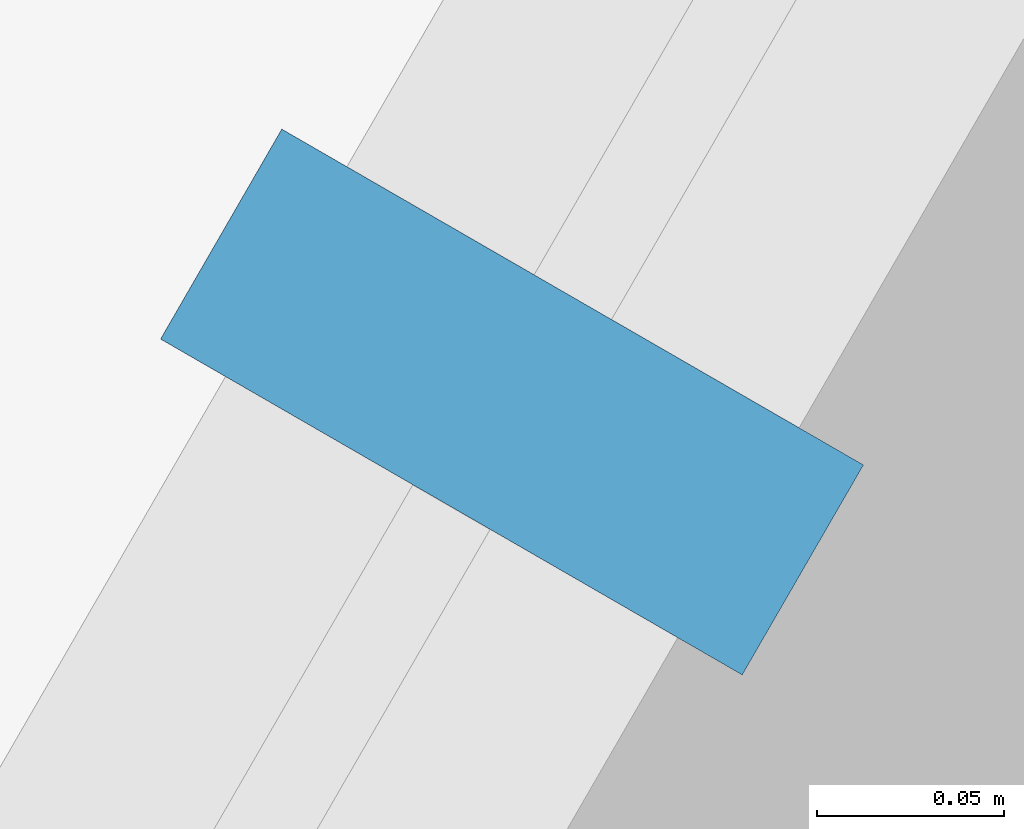
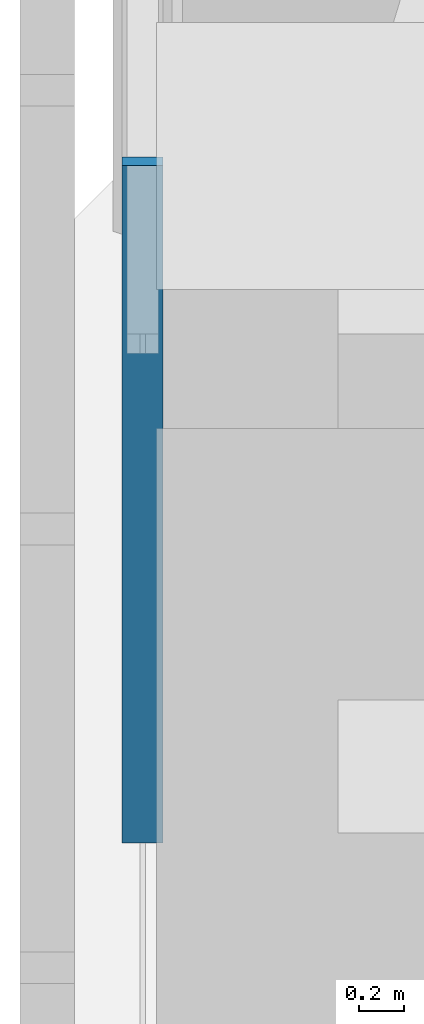
# One storey, part 154 of 256: 1 member, 1 element without a shape of its own.
"""IFC4 building model written with IfcOpenShell, lengths in metres."""

from ifc_helpers import new_model, si_unit, direction, frame, origin, origin_2d, place, context, subcontext, project, spatial, rectangle, extrude, material, material_profile, profile_set, type_object, element, aggregate, save


model = new_model("IFC4")

# Units and contexts
model_context = context("Model", 3, precision=1e-05, world=origin(), true_north=direction((0.0, 1.0)))
body_context = subcontext(model_context, "Body", "Model", "MODEL_VIEW")
ifc_project = project(units=[si_unit("LENGTHUNIT", "METRE"), si_unit("AREAUNIT", "SQUARE_METRE"), si_unit("VOLUMEUNIT", "CUBIC_METRE"), si_unit("PLANEANGLEUNIT", "RADIAN"), si_unit("MASSUNIT", "GRAM", prefix="KILO")], contexts=[model_context])

# Site, building, storey
site_placement = place(None, origin())
site = spatial("IfcSite", under=ifc_project, at=site_placement, CompositionType="ELEMENT")
building_placement = place(site_placement, origin())
building = spatial("IfcBuilding", under=site, at=building_placement, Name="Sandreach Pilgrim Tower", CompositionType="ELEMENT")
storey_placement = place(building_placement, frame((0.0, 0.0, 23.0)))
storey = spatial("IfcBuildingStorey", under=building, at=storey_placement, Name="L04", CompositionType="ELEMENT", Elevation=23.0)

# Curtain wall, member
ifc_material_1 = material(Name="Aluminium framed curtain wall", Category="aluminium")
curtain_wall_type = type_object("IfcCurtainWallType", Name="Hostel tower curtain wall", PredefinedType="NOTDEFINED", material=ifc_material_1)
curtain_wall_placement = place(storey_placement, origin())
curtain_wall = element("IfcCurtainWall", 1, at=curtain_wall_placement, inside=storey, type_object=curtain_wall_type, Name="CW-1 L04 NW", PredefinedType="NOTDEFINED")
ifc_material_2 = material(Name="Aluminium extrusion", Category="aluminium")
ifc_material_profile = material_profile(ifc_material_2, rectangle(XDim=0.06494140625, YDim=0.179931640625, at=origin_2d()), Name="CW-1M 65X180")
ifc_profile_set = profile_set([ifc_material_profile], Name="Aluminium extrusion")
member_type = type_object("IfcMemberType", Name="CW-1 mullion", PredefinedType="MULLION", material=ifc_profile_set)
member_placement = place(storey_placement, frame((-23.697265625, 18.97705078125, 0.0), z_axis=(0.0, 0.0, 1.0), x_axis=(0.5, 0.866025403784, 0.0)))
member = element("IfcMember", 2, at=member_placement, type_object=member_type, Name="CW-1 mullion 4", PredefinedType="MULLION", context=body_context, shape_type="SweptSolid", body=[
    extrude(rectangle(XDim=0.06494140625, YDim=0.179931640625, at=origin_2d()), origin(), (0.0, 0.0, 1.0), 3.639892578125),
])
aggregate(curtain_wall, [member])

save(model, "model.ifc")
